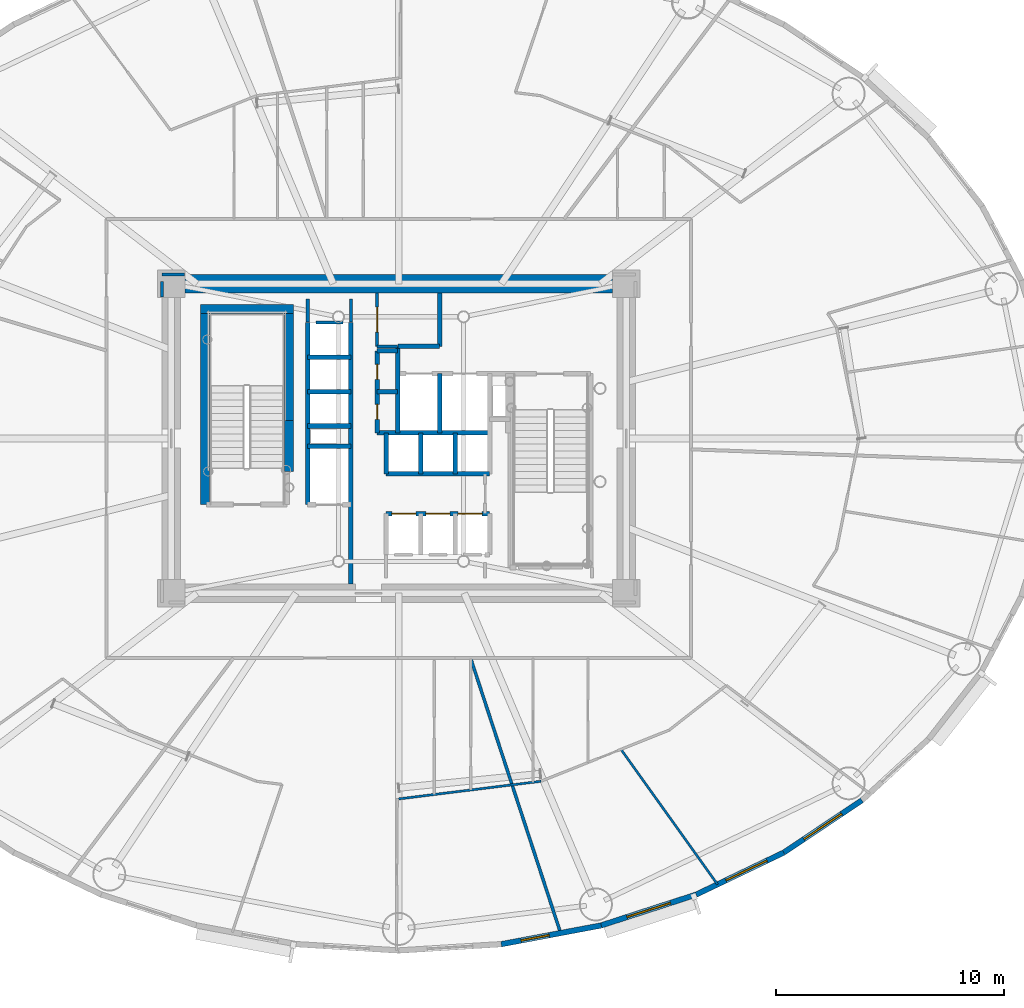
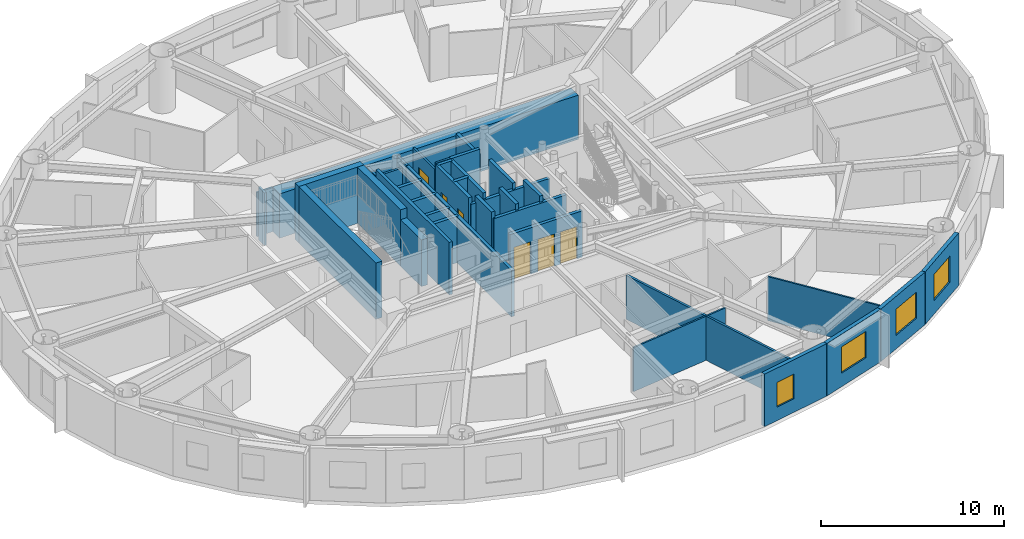
# One storey, part 10 of 19: 38 walls, 6 doors, 4 windows, 10 openings.
"""IFC4 building model written with IfcOpenShell, lengths in metres."""

from ifc_helpers import new_model, si_unit, direction, frame, frame_2d, origin, origin_2d, place, context, subcontext, project, spatial, rectangle, extrude, source, transform, mapped, material, layer, layer_set, type_object, element, fill, save


model = new_model("IFC4")

# Units and contexts
model_context = context("Model", 3, precision=1e-05, world=origin(), true_north=direction((0.0, 1.0)))
body_context = subcontext(model_context, "Body", "Model", "MODEL_VIEW")
ifc_project = project(units=[si_unit("LENGTHUNIT", "METRE"), si_unit("AREAUNIT", "SQUARE_METRE"), si_unit("VOLUMEUNIT", "CUBIC_METRE"), si_unit("PLANEANGLEUNIT", "RADIAN"), si_unit("MASSUNIT", "GRAM", prefix="KILO")], contexts=[model_context])

# Site, building, storey
site_placement = place(None, origin())
site = spatial("IfcSite", under=ifc_project, at=site_placement, CompositionType="ELEMENT")
building_placement = place(site_placement, origin())
building = spatial("IfcBuilding", under=site, at=building_placement, Name="Linh Dai School and Residence Tower", CompositionType="ELEMENT")
storey_placement = place(building_placement, frame((0.0, 0.0, 112.199951171875)))
storey = spatial("IfcBuildingStorey", under=building, at=storey_placement, Name="L26", CompositionType="ELEMENT", Elevation=112.199951171875)

# Wall, opening, window
ifc_material_1 = material(Name="Precast Concrete B45 (C35/45)", Category="concrete")
ifc_layer_1 = layer(ifc_material_1, 0.239990234375)
ifc_layer_set_1 = layer_set([ifc_layer_1], Name="Precast Concrete B45 (C35/45)")
wall_type_1 = type_object("IfcWallType", Name="EW-TC-240", PredefinedType="SOLIDWALL", material=ifc_layer_set_1)
wall_1_placement = place(storey_placement, frame((44.899658203125, 5.5986328125, 0.0), z_axis=(0.0, 0.0, 1.0), x_axis=(-0.982789252177, -0.184730305596, 0.0)))
wall_1 = element("IfcWall", 1, at=wall_1_placement, inside=storey, type_object=wall_type_1, Name="L26 Terracotta Exterior Wall 32", PredefinedType="SOLIDWALL", context=body_context, shape_type="SweptSolid", body=[
    extrude(rectangle(XDim=4.470947265625, YDim=0.239990234375, at=frame_2d((2.2353515625, 0.0))), origin(), (0.0, 0.0, 1.0), 3.5),
])
opening_1_placement = place(wall_1_placement, frame((2.332763671875, 0.0, 0.89990234375)))
opening_1 = element("IfcOpeningElement", 2, at=opening_1_placement, cuts=wall_1, Name="Opening W3", PredefinedType="OPENING", context=body_context, shape_type="SweptSolid", body=[
    extrude(rectangle(XDim=1.25, YDim=1.64990234375, at=origin_2d()), frame((0.625, 0.1298828125, 0.824951171875), z_axis=(0.0, -1.0, 0.0), x_axis=(1.0, 0.0, 0.0)), (0.0, 0.0, 1.0), 0.260009765625),
])
ifc_material_2 = material(Name="Double Low-E Insulated Glazing", Category="glass")
window_type_1 = type_object("IfcWindowType", Name="WN-RES-1250x1650", PartitioningType="SINGLE_PANEL", PredefinedType="WINDOW", material=ifc_material_2)
shared_shape_1 = source(origin(), body_context, "Body", "SweptSolid", [
    extrude(rectangle(XDim=1.25, YDim=1.64990234375, at=origin_2d()), frame((0.625, 0.030029296875, 0.824951171875), z_axis=(0.0, -1.0, 0.0), x_axis=(1.0, 0.0, 0.0)), (0.0, 0.0, 1.0), 0.06005859375),
])
window_1_placement = place(opening_1_placement, origin())
window_1 = element("IfcWindow", 3, at=window_1_placement, inside=storey, type_object=window_type_1, Name="L26 Exterior Window 32.1", OverallHeight=1.64990234375, OverallWidth=1.25, PartitioningType="SINGLE_PANEL", PredefinedType="WINDOW", context=body_context, shape_type="MappedRepresentation", body=[
    mapped(shared_shape_1, transform((0.0, 0.0, 0.0), x_axis=(1.0, 0.0, 0.0), y_axis=(0.0, 1.0, 0.0), z_axis=(0.0, 0.0, 1.0), scale=1.0)),
])
fill(opening_1, window_1)

wall_2_placement = place(storey_placement, frame((49.073974609375, 6.95263671875, 0.0), z_axis=(0.0, 0.0, 1.0), x_axis=(-0.951211346073, -0.308540070495, 0.0)))
wall_2 = element("IfcWall", 4, at=wall_2_placement, inside=storey, type_object=wall_type_1, Name="L26 Terracotta Exterior Wall 33", PredefinedType="SOLIDWALL", context=body_context, shape_type="SweptSolid", body=[
    extrude(rectangle(XDim=4.388427734375, YDim=0.239990234375, at=frame_2d((2.1943359375, 0.0))), origin(), (0.0, 0.0, 1.0), 3.5),
])
opening_2_placement = place(wall_2_placement, frame((1.1943359375, 0.0, 0.89990234375)))
opening_2 = element("IfcOpeningElement", 5, at=opening_2_placement, cuts=wall_2, Name="Opening W1", PredefinedType="OPENING", context=body_context, shape_type="SweptSolid", body=[
    extrude(rectangle(XDim=2.0, YDim=1.75, at=origin_2d()), frame((1.0, 0.1298828125, 0.875), z_axis=(0.0, -1.0, 0.0), x_axis=(1.0, 0.0, 0.0)), (0.0, 0.0, 1.0), 0.260009765625),
])
window_type_2 = type_object("IfcWindowType", Name="WN-RES-2000x1750", PartitioningType="DOUBLE_PANEL_VERTICAL", PredefinedType="WINDOW", material=ifc_material_2)
shared_shape_2 = source(origin(), body_context, "Body", "SweptSolid", [
    extrude(rectangle(XDim=2.0, YDim=1.75, at=origin_2d()), frame((1.0, 0.030029296875, 0.875), z_axis=(0.0, -1.0, 0.0), x_axis=(1.0, 0.0, 0.0)), (0.0, 0.0, 1.0), 0.06005859375),
])
window_2_placement = place(opening_2_placement, origin())
window_2 = element("IfcWindow", 6, at=window_2_placement, inside=storey, type_object=window_type_2, Name="L26 Exterior Window 33.1", OverallHeight=1.75, OverallWidth=2.0, PartitioningType="DOUBLE_PANEL_VERTICAL", PredefinedType="WINDOW", context=body_context, shape_type="MappedRepresentation", body=[
    mapped(shared_shape_2, transform((0.0, 0.0, 0.0), x_axis=(1.0, 0.0, 0.0), y_axis=(0.0, 1.0, 0.0), z_axis=(0.0, 0.0, 1.0), scale=1.0)),
])
fill(opening_2, window_2)

wall_3_placement = place(storey_placement, frame((52.92529296875, 8.800537109375, 0.0), z_axis=(0.0, 0.0, 1.0), x_axis=(-0.901589935876, -0.432591709962, 0.0)))
wall_3 = element("IfcWall", 7, at=wall_3_placement, inside=storey, type_object=wall_type_1, Name="L26 Terracotta Exterior Wall 34", PredefinedType="SOLIDWALL", context=body_context, shape_type="SweptSolid", body=[
    extrude(rectangle(XDim=4.271728515625, YDim=0.239990234375, at=frame_2d((2.1357421875, 0.0))), origin(), (0.0, 0.0, 1.0), 3.5),
])
opening_3_placement = place(wall_3_placement, frame((0.8212890625, 0.0, 0.89990234375)))
opening_3 = element("IfcOpeningElement", 8, at=opening_3_placement, cuts=wall_3, Name="Opening W1", PredefinedType="OPENING", context=body_context, shape_type="SweptSolid", body=[
    extrude(rectangle(XDim=2.0, YDim=1.75, at=origin_2d()), frame((1.0, 0.1298828125, 0.875), z_axis=(0.0, -1.0, 0.0), x_axis=(1.0, 0.0, 0.0)), (0.0, 0.0, 1.0), 0.260009765625),
])
window_3_placement = place(opening_3_placement, origin())
window_3 = element("IfcWindow", 9, at=window_3_placement, inside=storey, type_object=window_type_2, Name="L26 Exterior Window 34.1", OverallHeight=1.75, OverallWidth=2.0, PartitioningType="DOUBLE_PANEL_VERTICAL", PredefinedType="WINDOW", context=body_context, shape_type="MappedRepresentation", body=[
    mapped(shared_shape_2, transform((0.0, 0.0, 0.0), x_axis=(1.0, 0.0, 0.0), y_axis=(0.0, 1.0, 0.0), z_axis=(0.0, 0.0, 1.0), scale=1.0)),
])
fill(opening_3, window_3)

wall_4_placement = place(storey_placement, frame((56.3583984375, 11.0966796875, 0.0), z_axis=(0.0, 0.0, 1.0), x_axis=(-0.831221811447, -0.555940914284, 0.0)))
wall_4 = element("IfcWall", 10, at=wall_4_placement, inside=storey, type_object=wall_type_1, Name="L26 Terracotta Exterior Wall 35", PredefinedType="SOLIDWALL", context=body_context, shape_type="SweptSolid", body=[
    extrude(rectangle(XDim=4.130126953125, YDim=0.239990234375, at=frame_2d((2.06494140625, 0.0))), origin(), (0.0, 0.0, 1.0), 3.5),
])
opening_4_placement = place(wall_4_placement, frame((1.065185546875, 0.0, 0.89990234375)))
opening_4 = element("IfcOpeningElement", 11, at=opening_4_placement, cuts=wall_4, Name="Opening W1", PredefinedType="OPENING", context=body_context, shape_type="SweptSolid", body=[
    extrude(rectangle(XDim=2.0, YDim=1.75, at=origin_2d()), frame((1.0, 0.1298828125, 0.875), z_axis=(0.0, -1.0, 0.0), x_axis=(1.0, 0.0, 0.0)), (0.0, 0.0, 1.0), 0.260009765625),
])
window_4_placement = place(opening_4_placement, origin())
window_4 = element("IfcWindow", 12, at=window_4_placement, inside=storey, type_object=window_type_2, Name="L26 Exterior Window 35.1", OverallHeight=1.75, OverallWidth=2.0, PartitioningType="DOUBLE_PANEL_VERTICAL", PredefinedType="WINDOW", context=body_context, shape_type="MappedRepresentation", body=[
    mapped(shared_shape_2, transform((0.0, 0.0, 0.0), x_axis=(1.0, 0.0, 0.0), y_axis=(0.0, 1.0, 0.0), z_axis=(0.0, 0.0, 1.0), scale=1.0)),
])
fill(opening_4, window_4)

# Wall, opening, door
ifc_material_3 = material(Name="Autoclaved Aerated Concrete Blockwork", Category="masonry")
ifc_layer_2 = layer(ifc_material_3, 0.135009765625)
ifc_layer_set_2 = layer_set([ifc_layer_2], Name="Autoclaved Aerated Concrete Blockwork")
wall_type_2 = type_object("IfcWallType", Name="IW-CORR-135-EI90", PredefinedType="PARTITIONING", material=ifc_layer_set_2)
wall_5_placement = place(storey_placement, frame((35.050048828125, 31.050048828125, 0.0), z_axis=(0.0, 0.0, 1.0), x_axis=(0.0, 1.0, 0.0)))
wall_5 = element("IfcWall", 13, at=wall_5_placement, inside=storey, type_object=wall_type_2, Name="L26 Interior Partition Wall 046", PredefinedType="PARTITIONING", context=body_context, shape_type="SweptSolid", body=[
    extrude(rectangle(XDim=2.349853515625, YDim=0.135009765625, at=frame_2d((1.1748046875, 0.0))), origin(), (0.0, 0.0, 1.0), 3.0849609375),
])
opening_5_placement = place(wall_5_placement, frame((0.625, 0.0, 0.0)))
opening_5 = element("IfcOpeningElement", 14, at=opening_5_placement, cuts=wall_5, Name="Opening D07", PredefinedType="OPENING", context=body_context, shape_type="SweptSolid", body=[
    extrude(rectangle(XDim=1.10009765625, YDim=2.14990234375, at=origin_2d()), frame((0.550048828125, 0.07763671875, 1.074951171875), z_axis=(0.0, -1.0, 0.0), x_axis=(1.0, 0.0, 0.0)), (0.0, 0.0, 1.0), 0.155029296875),
])
ifc_material_4 = material(Name="Fire-Rated Louvred Steel Plant Door", Category="steel")
door_type_1 = type_object("IfcDoorType", Name="DR-PLT-1100x2150-FD60S", OperationType="NOTDEFINED", PredefinedType="DOOR", material=ifc_material_4)
shared_shape_3 = source(origin(), body_context, "Body", "SweptSolid", [
    extrude(rectangle(XDim=1.10009765625, YDim=2.14990234375, at=origin_2d()), frame((0.550048828125, 0.02490234375, 1.074951171875), z_axis=(0.0, -1.0, 0.0), x_axis=(1.0, 0.0, 0.0)), (0.0, 0.0, 1.0), 0.050048828125),
])
door_1_placement = place(opening_5_placement, origin())
door_1 = element("IfcDoor", 15, at=door_1_placement, inside=storey, type_object=door_type_1, Name="L26 North BMS Switchroom Door", OperationType="SINGLE_SWING_LEFT", OverallHeight=2.14990234375, OverallWidth=1.10009765625, PredefinedType="DOOR", context=body_context, shape_type="MappedRepresentation", body=[
    mapped(shared_shape_3, transform((0.0, 0.0, 0.0), x_axis=(1.0, 0.0, 0.0), y_axis=(0.0, 1.0, 0.0), z_axis=(0.0, 0.0, 1.0), scale=1.0)),
])
fill(opening_5, door_1)

# Walls
wall_6_placement = place(storey_placement, frame((35.050048828125, 31.050048828125, 0.0), z_axis=(0.0, 0.0, 1.0), x_axis=(1.0, 0.0, 0.0)))
element("IfcWall", 16, at=wall_6_placement, inside=storey, type_object=wall_type_2, Name="L26 Interior Partition Wall 047", PredefinedType="PARTITIONING", context=body_context, shape_type="SweptSolid", body=[
    extrude(rectangle(XDim=0.89990234375, YDim=0.135009765625, at=frame_2d((0.449951171875, 0.0))), origin(), (0.0, 0.0, 1.0), 3.5),
])
wall_7_placement = place(storey_placement, frame((39.1748046875, 17.301025390625, 0.0), z_axis=(0.0, 0.0, 1.0), x_axis=(0.311090320612, -0.95038035145, 0.0)))
element("IfcWall", 17, at=wall_7_placement, inside=storey, type_object=wall_type_2, Name="L26 Interior Partition Wall 068", PredefinedType="PARTITIONING", context=body_context, shape_type="SweptSolid", body=[
    extrude(rectangle(XDim=12.671142578125, YDim=0.135009765625, at=frame_2d((6.33544921875, 0.0))), origin(), (0.0, 0.0, 1.0), 2.93505859375),
])
wall_8_placement = place(storey_placement, frame((32.360107421875, 32.10009765625, 0.0), z_axis=(0.0, 0.0, 1.0), x_axis=(1.0, 0.0, 0.0)))
element("IfcWall", 18, at=wall_8_placement, inside=storey, type_object=wall_type_2, Name="L26 Interior Partition Wall 105", PredefinedType="PARTITIONING", context=body_context, shape_type="SweptSolid", body=[
    extrude(rectangle(XDim=1.179931640625, YDim=0.135009765625, at=frame_2d((0.58984375, 0.0))), origin(), (0.0, 0.0, 1.0), 3.0849609375),
])
wall_9_placement = place(storey_placement, frame((32.0, 33.139892578125, 0.0), z_axis=(0.0, 0.0, 1.0), x_axis=(0.0, -1.0, 0.0)))
element("IfcWall", 19, at=wall_9_placement, inside=storey, type_object=wall_type_2, Name="L26 Interior Partition Wall 107", PredefinedType="PARTITIONING", context=body_context, shape_type="SweptSolid", body=[
    extrude(rectangle(XDim=1.02978515625, YDim=0.135009765625, at=frame_2d((0.514892578125, 0.0))), origin(), (0.0, 0.0, 1.0), 3.03515625),
])
wall_10_placement = place(storey_placement, frame((33.89990234375, 32.110107421875, 0.0), z_axis=(0.0, 0.0, 1.0), x_axis=(0.0, 1.0, 0.0)))
element("IfcWall", 20, at=wall_10_placement, inside=storey, type_object=wall_type_2, Name="L26 Interior Partition Wall 110", PredefinedType="PARTITIONING", context=body_context, shape_type="SweptSolid", body=[
    extrude(rectangle(XDim=1.02978515625, YDim=0.135009765625, at=frame_2d((0.514892578125, 0.0))), origin(), (0.0, 0.0, 1.0), 3.0849609375),
])
wall_11_placement = place(storey_placement, frame((26.590087890625, 34.199951171875, 0.0), z_axis=(0.0, 0.0, 1.0), x_axis=(-1.0, 0.0, 0.0)))
element("IfcWall", 21, at=wall_11_placement, inside=storey, type_object=wall_type_2, Name="L26 Interior Partition Wall 114", PredefinedType="PARTITIONING", context=body_context, shape_type="SweptSolid", body=[
    extrude(rectangle(XDim=0.989990234375, YDim=0.135009765625, at=frame_2d((0.4951171875, 0.0))), origin(), (0.0, 0.0, 1.0), 2.93505859375),
])
wall_12_placement = place(storey_placement, frame((25.60009765625, 33.892578125, 0.0), z_axis=(0.0, 0.0, 1.0), x_axis=(0.0, -1.0, 0.0)))
element("IfcWall", 22, at=wall_12_placement, inside=storey, type_object=wall_type_2, Name="L26 Interior Partition Wall 115", PredefinedType="PARTITIONING", context=body_context, shape_type="SweptSolid", body=[
    extrude(rectangle(XDim=0.6826171875, YDim=0.135009765625, at=frame_2d((0.34130859375, 0.0))), origin(), (0.0, 0.0, 1.0), 3.5),
])
ifc_material_5 = material(Name="Concrete B45 (C35/45)", Category="concrete")
ifc_layer_3 = layer(ifc_material_5, 0.199951171875)
ifc_layer_set_3 = layer_set([ifc_layer_3], Name="Concrete B45 (C35/45)")
wall_type_3 = type_object("IfcWallType", Name="IW-SHAFT-200-EI120", PredefinedType="PARTITIONING", material=ifc_layer_set_3)
wall_13_placement = place(storey_placement, frame((32.0, 24.10009765625, 0.0), z_axis=(0.0, 0.0, 1.0), x_axis=(0.0, 1.0, 0.0)))
element("IfcWall", 23, at=wall_13_placement, inside=storey, type_object=wall_type_3, Name="L26 Interior Partition Wall 033", PredefinedType="PARTITIONING", context=body_context, shape_type="SweptSolid", body=[
    extrude(rectangle(XDim=8.0, YDim=0.199951171875, at=frame_2d((4.0, 0.0))), origin(), (0.0, 0.0, 1.0), 3.5),
])
for number, where, z_axis, x_axis, name in (
    (24, (32.0, 26.64990234375, 0.0), (0.0, 0.0, 1.0), (1.0, 0.0, 0.0), "L26 Interior Partition Wall 035"),
    (25, (32.0, 27.550048828125, 0.0), (0.0, 0.0, 1.0), (1.0, 0.0, 0.0), "L26 Interior Partition Wall 036"),
    (26, (32.0, 29.06005859375, 0.0), (0.0, 0.0, 1.0), (1.0, 0.0, 0.0), "L26 Interior Partition Wall 037"),
    (27, (32.0, 30.580078125, 0.0), (0.0, 0.0, 1.0), (1.0, 0.0, 0.0), "L26 Interior Partition Wall 038"),
):
    element("IfcWall", number, at=place(storey_placement, frame(where, z_axis=z_axis, x_axis=x_axis)), inside=storey, type_object=wall_type_3, Name=name, PredefinedType="PARTITIONING", context=body_context, shape_type="SweptSolid", body=[
        extrude(rectangle(XDim=1.89990234375, YDim=0.199951171875, at=frame_2d((0.949951171875, 0.0))), origin(), (0.0, 0.0, 1.0), 3.0849609375),
    ])
wall_14_placement = place(storey_placement, frame((33.89990234375, 20.60009765625, 0.0), z_axis=(0.0, 0.0, 1.0), x_axis=(0.0, 1.0, 0.0)))
element("IfcWall", 28, at=wall_14_placement, inside=storey, type_object=wall_type_3, Name="L26 Interior Partition Wall 040", PredefinedType="PARTITIONING", context=body_context, shape_type="SweptSolid", body=[
    extrude(rectangle(XDim=11.5, YDim=0.199951171875, at=frame_2d((5.75, 0.0))), origin(), (0.0, 0.0, 1.0), 3.0849609375),
])

# Wall, openings, doors
wall_15_placement = place(storey_placement, frame((35.050048828125, 27.25, 0.0), z_axis=(0.0, 0.0, 1.0), x_axis=(0.0, 1.0, 0.0)))
wall_15 = element("IfcWall", 29, at=wall_15_placement, inside=storey, type_object=wall_type_3, Name="L26 Interior Partition Wall 042", PredefinedType="PARTITIONING", context=body_context, shape_type="SweptSolid", body=[
    extrude(rectangle(XDim=3.60009765625, YDim=0.199951171875, at=frame_2d((1.800048828125, 0.0))), origin(), (0.0, 0.0, 1.0), 3.5),
])
opening_6_placement = place(wall_15_placement, frame((0.590087890625, 0.0, 0.0)))
opening_6 = element("IfcOpeningElement", 30, at=opening_6_placement, cuts=wall_15, Name="Opening AD1", PredefinedType="OPENING", context=body_context, shape_type="SweptSolid", body=[
    extrude(rectangle(XDim=0.659912109375, YDim=2.050048828125, at=origin_2d()), frame((0.330078125, 0.10986328125, 1.02490234375), z_axis=(0.0, -1.0, 0.0), x_axis=(1.0, 0.0, 0.0)), (0.0, 0.0, 1.0), 0.219970703125),
])
opening_7_placement = place(wall_15_placement, frame((2.35009765625, 0.0, 0.0)))
opening_7 = element("IfcOpeningElement", 31, at=opening_7_placement, cuts=wall_15, Name="Opening AD1", PredefinedType="OPENING", context=body_context, shape_type="SweptSolid", body=[
    extrude(rectangle(XDim=0.659912109375, YDim=2.050048828125, at=origin_2d()), frame((0.330078125, 0.10986328125, 1.02490234375), z_axis=(0.0, -1.0, 0.0), x_axis=(1.0, 0.0, 0.0)), (0.0, 0.0, 1.0), 0.219970703125),
])
ifc_material_6 = material(Name="Fire-Rated Steel Riser Access Door", Category="steel")
door_type_2 = type_object("IfcDoorType", Name="DR-ACC-660x2050-FD90S", OperationType="NOTDEFINED", PredefinedType="USERDEFINED", material=ifc_material_6)
shared_shape_4 = source(origin(), body_context, "Body", "SweptSolid", [
    extrude(rectangle(XDim=0.659912109375, YDim=2.050048828125, at=origin_2d()), frame((0.330078125, 0.02490234375, 1.02490234375), z_axis=(0.0, -1.0, 0.0), x_axis=(1.0, 0.0, 0.0)), (0.0, 0.0, 1.0), 0.050048828125),
])
door_2_placement = place(opening_6_placement, origin())
door_2 = element("IfcDoor", 32, at=door_2_placement, inside=storey, type_object=door_type_2, Name="L26 Telecom and Data Riser Access Door", ObjectType="ACCESS DOOR", OperationType="SINGLE_SWING_LEFT", OverallHeight=2.050048828125, OverallWidth=0.659912109375, PredefinedType="USERDEFINED", context=body_context, shape_type="MappedRepresentation", body=[
    mapped(shared_shape_4, transform((0.0, 0.0, 0.0), x_axis=(1.0, 0.0, 0.0), y_axis=(0.0, 1.0, 0.0), z_axis=(0.0, 0.0, 1.0), scale=1.0)),
])
fill(opening_6, door_2)
door_3_placement = place(opening_7_placement, origin())
door_3 = element("IfcDoor", 33, at=door_3_placement, inside=storey, type_object=door_type_2, Name="L26 Mechanical and Plumbing Riser Access Door", ObjectType="ACCESS DOOR", OperationType="SINGLE_SWING_RIGHT", OverallHeight=2.050048828125, OverallWidth=0.659912109375, PredefinedType="USERDEFINED", context=body_context, shape_type="MappedRepresentation", body=[
    mapped(shared_shape_4, transform((0.0, 0.0, 0.0), x_axis=(1.0, 0.0, 0.0), y_axis=(0.0, 1.0, 0.0), z_axis=(0.0, 0.0, 1.0), scale=1.0)),
])
fill(opening_7, door_3)

# Walls
wall_16_placement = place(storey_placement, frame((35.050048828125, 27.25, 0.0), z_axis=(0.0, 0.0, 1.0), x_axis=(1.0, 0.0, 0.0)))
element("IfcWall", 34, at=wall_16_placement, inside=storey, type_object=wall_type_3, Name="L26 Interior Partition Wall 043", PredefinedType="PARTITIONING", context=body_context, shape_type="SweptSolid", body=[
    extrude(rectangle(XDim=4.949951171875, YDim=0.199951171875, at=frame_2d((2.47509765625, 0.0))), origin(), (0.0, 0.0, 1.0), 3.0849609375),
])
for number, where, z_axis, x_axis, name in (
    (35, (35.050048828125, 29.050048828125, 0.0), (0.0, 0.0, 1.0), (1.0, 0.0, 0.0), "L26 Interior Partition Wall 044"),
    (36, (35.050048828125, 30.85009765625, 0.0), (0.0, 0.0, 1.0), (1.0, 0.0, 0.0), "L26 Interior Partition Wall 045"),
):
    element("IfcWall", number, at=place(storey_placement, frame(where, z_axis=z_axis, x_axis=x_axis)), inside=storey, type_object=wall_type_3, Name=name, PredefinedType="PARTITIONING", context=body_context, shape_type="SweptSolid", body=[
        extrude(rectangle(XDim=0.89990234375, YDim=0.199951171875, at=frame_2d((0.449951171875, 0.0))), origin(), (0.0, 0.0, 1.0), 3.5),
    ])

# Wall, openings, doors
wall_17_placement = place(storey_placement, frame((35.449951171875, 23.699951171875, 0.0), z_axis=(0.0, 0.0, 1.0), x_axis=(1.0, 0.0, 0.0)))
wall_17 = element("IfcWall", 37, at=wall_17_placement, inside=storey, type_object=wall_type_3, Name="L26 Interior Partition Wall 049", PredefinedType="PARTITIONING", context=body_context, shape_type="SweptSolid", body=[
    extrude(rectangle(XDim=4.550048828125, YDim=0.199951171875, at=frame_2d((2.27490234375, 0.0))), origin(), (0.0, 0.0, 1.0), 3.0849609375),
])
opening_8_placement = place(wall_17_placement, frame((0.25, 0.0, 0.0)))
opening_8 = element("IfcOpeningElement", 38, at=opening_8_placement, cuts=wall_17, Name="Opening LD-PL1", PredefinedType="OPENING", context=body_context, shape_type="SweptSolid", body=[
    extrude(rectangle(XDim=1.050048828125, YDim=2.14990234375, at=origin_2d()), frame((0.52490234375, 0.10986328125, 1.074951171875), z_axis=(0.0, -1.0, 0.0), x_axis=(1.0, 0.0, 0.0)), (0.0, 0.0, 1.0), 0.219970703125),
])
opening_9_placement = place(wall_17_placement, frame((1.7451171875, 0.0, 0.0)))
opening_9 = element("IfcOpeningElement", 39, at=opening_9_placement, cuts=wall_17, Name="Opening LD-PL2", PredefinedType="OPENING", context=body_context, shape_type="SweptSolid", body=[
    extrude(rectangle(XDim=1.050048828125, YDim=2.14990234375, at=origin_2d()), frame((0.52490234375, 0.10986328125, 1.074951171875), z_axis=(0.0, -1.0, 0.0), x_axis=(1.0, 0.0, 0.0)), (0.0, 0.0, 1.0), 0.219970703125),
])
opening_10_placement = place(wall_17_placement, frame((3.1650390625, 0.0, 0.0)))
opening_10 = element("IfcOpeningElement", 40, at=opening_10_placement, cuts=wall_17, Name="Opening LD-PL3", PredefinedType="OPENING", context=body_context, shape_type="SweptSolid", body=[
    extrude(rectangle(XDim=1.050048828125, YDim=2.14990234375, at=origin_2d()), frame((0.52490234375, 0.10986328125, 1.074951171875), z_axis=(0.0, -1.0, 0.0), x_axis=(1.0, 0.0, 0.0)), (0.0, 0.0, 1.0), 0.219970703125),
])
ifc_material_7 = material(Name="Brushed Stainless Steel Lift Landing Door", Category="steel")
door_type_3 = type_object("IfcDoorType", Name="DR-LD-PASS-1050x2150", OperationType="DOUBLE_DOOR_SLIDING", PredefinedType="USERDEFINED", material=ifc_material_7)
shared_shape_5 = source(origin(), body_context, "Body", "SweptSolid", [
    extrude(rectangle(XDim=1.050048828125, YDim=2.14990234375, at=origin_2d()), frame((0.52490234375, 0.02490234375, 1.074951171875), z_axis=(0.0, -1.0, 0.0), x_axis=(1.0, 0.0, 0.0)), (0.0, 0.0, 1.0), 0.050048828125),
])
door_4_placement = place(opening_8_placement, origin())
door_4 = element("IfcDoor", 41, at=door_4_placement, inside=storey, type_object=door_type_3, Name="L26 Lift PL1 Sliding Landing Door", ObjectType="LANDING DOOR", OperationType="DOUBLE_DOOR_SLIDING", OverallHeight=2.14990234375, OverallWidth=1.050048828125, PredefinedType="USERDEFINED", context=body_context, shape_type="MappedRepresentation", body=[
    mapped(shared_shape_5, transform((0.0, 0.0, 0.0), x_axis=(1.0, 0.0, 0.0), y_axis=(0.0, 1.0, 0.0), z_axis=(0.0, 0.0, 1.0), scale=1.0)),
])
fill(opening_8, door_4)
door_5_placement = place(opening_9_placement, origin())
door_5 = element("IfcDoor", 42, at=door_5_placement, inside=storey, type_object=door_type_3, Name="L26 Lift PL2 Sliding Landing Door", ObjectType="LANDING DOOR", OperationType="DOUBLE_DOOR_SLIDING", OverallHeight=2.14990234375, OverallWidth=1.050048828125, PredefinedType="USERDEFINED", context=body_context, shape_type="MappedRepresentation", body=[
    mapped(shared_shape_5, transform((0.0, 0.0, 0.0), x_axis=(1.0, 0.0, 0.0), y_axis=(0.0, 1.0, 0.0), z_axis=(0.0, 0.0, 1.0), scale=1.0)),
])
fill(opening_9, door_5)
door_6_placement = place(opening_10_placement, origin())
door_6 = element("IfcDoor", 43, at=door_6_placement, inside=storey, type_object=door_type_3, Name="L26 Lift PL3 Sliding Landing Door", ObjectType="LANDING DOOR", OperationType="DOUBLE_DOOR_SLIDING", OverallHeight=2.14990234375, OverallWidth=1.050048828125, PredefinedType="USERDEFINED", context=body_context, shape_type="MappedRepresentation", body=[
    mapped(shared_shape_5, transform((0.0, 0.0, 0.0), x_axis=(1.0, 0.0, 0.0), y_axis=(0.0, 1.0, 0.0), z_axis=(0.0, 0.0, 1.0), scale=1.0)),
])
fill(opening_10, door_6)

# Walls
wall_18_placement = place(storey_placement, frame((35.449951171875, 25.449951171875, 0.0), z_axis=(0.0, 0.0, 1.0), x_axis=(0.0, 1.0, 0.0)))
element("IfcWall", 44, at=wall_18_placement, inside=storey, type_object=wall_type_3, Name="L26 Interior Partition Wall 050", PredefinedType="PARTITIONING", context=body_context, shape_type="SweptSolid", body=[
    extrude(rectangle(XDim=1.800048828125, YDim=0.199951171875, at=frame_2d((0.89990234375, 0.0))), origin(), (0.0, 0.0, 1.0), 3.5),
])
wall_19_placement = place(storey_placement, frame((35.449951171875, 25.449951171875, 0.0), z_axis=(0.0, 0.0, 1.0), x_axis=(1.0, 0.0, 0.0)))
element("IfcWall", 45, at=wall_19_placement, inside=storey, type_object=wall_type_3, Name="L26 Interior Partition Wall 051", PredefinedType="PARTITIONING", context=body_context, shape_type="SweptSolid", body=[
    extrude(rectangle(XDim=4.550048828125, YDim=0.199951171875, at=frame_2d((2.27490234375, 0.0))), origin(), (0.0, 0.0, 1.0), 3.0849609375),
])
wall_20_placement = place(storey_placement, frame((35.949951171875, 27.25, 0.0), z_axis=(0.0, 0.0, 1.0), x_axis=(0.0, 1.0, 0.0)))
element("IfcWall", 46, at=wall_20_placement, inside=storey, type_object=wall_type_3, Name="L26 Interior Partition Wall 053", PredefinedType="PARTITIONING", context=body_context, shape_type="SweptSolid", body=[
    extrude(rectangle(XDim=3.800048828125, YDim=0.199951171875, at=frame_2d((1.89990234375, 0.0))), origin(), (0.0, 0.0, 1.0), 3.5),
])
wall_21_placement = place(storey_placement, frame((35.9599609375, 31.050048828125, 0.0), z_axis=(0.0, 0.0, 1.0), x_axis=(1.0, 0.0, 0.0)))
element("IfcWall", 47, at=wall_21_placement, inside=storey, type_object=wall_type_3, Name="L26 Interior Partition Wall 055", PredefinedType="PARTITIONING", context=body_context, shape_type="SweptSolid", body=[
    extrude(rectangle(XDim=1.840087890625, YDim=0.199951171875, at=frame_2d((0.919921875, 0.0))), origin(), (0.0, 0.0, 1.0), 3.5),
])
wall_22_placement = place(storey_placement, frame((36.9599609375, 25.449951171875, 0.0), z_axis=(0.0, 0.0, 1.0), x_axis=(0.0, 1.0, 0.0)))
element("IfcWall", 48, at=wall_22_placement, inside=storey, type_object=wall_type_3, Name="L26 Interior Partition Wall 060", PredefinedType="PARTITIONING", context=body_context, shape_type="SweptSolid", body=[
    extrude(rectangle(XDim=1.800048828125, YDim=0.199951171875, at=frame_2d((0.89990234375, 0.0))), origin(), (0.0, 0.0, 1.0), 3.5),
])
wall_23_placement = place(storey_placement, frame((37.800048828125, 27.25, 0.0), z_axis=(0.0, 0.0, 1.0), x_axis=(0.0, 1.0, 0.0)))
element("IfcWall", 49, at=wall_23_placement, inside=storey, type_object=wall_type_3, Name="L26 Interior Partition Wall 062", PredefinedType="PARTITIONING", context=body_context, shape_type="SweptSolid", body=[
    extrude(rectangle(XDim=2.60009765625, YDim=0.199951171875, at=frame_2d((1.300048828125, 0.0))), origin(), (0.0, 0.0, 1.0), 3.5),
])
wall_24_placement = place(storey_placement, frame((37.800048828125, 31.050048828125, 0.0), z_axis=(0.0, 0.0, 1.0), x_axis=(0.0, 1.0, 0.0)))
element("IfcWall", 50, at=wall_24_placement, inside=storey, type_object=wall_type_3, Name="L26 Interior Partition Wall 063", PredefinedType="PARTITIONING", context=body_context, shape_type="SweptSolid", body=[
    extrude(rectangle(XDim=2.349853515625, YDim=0.199951171875, at=frame_2d((1.1748046875, 0.0))), origin(), (0.0, 0.0, 1.0), 3.0849609375),
])
wall_25_placement = place(storey_placement, frame((38.47998046875, 25.449951171875, 0.0), z_axis=(0.0, 0.0, 1.0), x_axis=(0.0, 1.0, 0.0)))
element("IfcWall", 51, at=wall_25_placement, inside=storey, type_object=wall_type_3, Name="L26 Interior Partition Wall 066", PredefinedType="PARTITIONING", context=body_context, shape_type="SweptSolid", body=[
    extrude(rectangle(XDim=1.800048828125, YDim=0.199951171875, at=frame_2d((0.89990234375, 0.0))), origin(), (0.0, 0.0, 1.0), 3.5),
])
ifc_material_8 = material(Name="Gypsum Plasterboard Acoustic Stud Partition", Category="masonry")
ifc_layer_4 = layer(ifc_material_8, 0.10009765625)
ifc_layer_set_4 = layer_set([ifc_layer_4], Name="Gypsum Plasterboard Acoustic Stud Partition")
wall_type_4 = type_object("IfcWallType", Name="IW-UNIT-100", PredefinedType="PARTITIONING", material=ifc_layer_set_4)
wall_26_placement = place(storey_placement, frame((36.0, 11.158935546875, 0.0), z_axis=(0.0, 0.0, 1.0), x_axis=(0.992395485088, 0.123090215599, 0.0)))
element("IfcWall", 52, at=wall_26_placement, inside=storey, type_object=wall_type_4, Name="L26 Interior Partition Wall 056", PredefinedType="PARTITIONING", context=body_context, shape_type="SweptSolid", body=[
    extrude(rectangle(XDim=6.29931640625, YDim=0.10009765625, at=frame_2d((3.149658203125, 0.0))), origin(), (0.0, 0.0, 1.0), 2.93505859375),
])
wall_27_placement = place(storey_placement, frame((45.76806640625, 13.33740234375, 0.0), z_axis=(0.0, 0.0, 1.0), x_axis=(0.581582931767, -0.813487119429, 0.0)))
element("IfcWall", 53, at=wall_27_placement, inside=storey, type_object=wall_type_4, Name="L26 Interior Partition Wall 085", PredefinedType="PARTITIONING", context=body_context, shape_type="SweptSolid", body=[
    extrude(rectangle(XDim=7.301025390625, YDim=0.10009765625, at=frame_2d((3.650390625, 0.0))), origin(), (0.0, 0.0, 1.0), 2.93505859375),
])
ifc_layer_5 = layer(ifc_material_5, 0.39990234375)
ifc_layer_set_5 = layer_set([ifc_layer_5], Name="Concrete B45 (C35/45)")
wall_type_5 = type_object("IfcWallType", Name="WL-CORE400", PredefinedType="SHEAR", material=ifc_layer_set_5)
wall_28_placement = place(storey_placement, frame((27.47998046875, 24.10009765625, 0.0), z_axis=(0.0, 0.0, 1.0), x_axis=(0.0, 1.0, 0.0)))
element("IfcWall", 54, at=wall_28_placement, inside=storey, type_object=wall_type_5, Name="L26 Core Stair ST1 Bearing Wall W", PredefinedType="SHEAR", context=body_context, shape_type="SweptSolid", body=[
    extrude(rectangle(XDim=8.599853515625, YDim=0.39990234375, at=frame_2d((4.2998046875, 0.0))), origin(), (0.0, 0.0, 1.0), 3.75),
])
wall_29_placement = place(storey_placement, frame((31.179931640625, 27.800048828125, 0.0), z_axis=(0.0, 0.0, 1.0), x_axis=(0.0, 1.0, 0.0)))
element("IfcWall", 55, at=wall_29_placement, inside=storey, type_object=wall_type_5, Name="L26 Core Stair ST1 Bearing Wall E", PredefinedType="SHEAR", context=body_context, shape_type="SweptSolid", body=[
    extrude(rectangle(XDim=4.89990234375, YDim=0.39990234375, at=frame_2d((2.449951171875, 0.0))), origin(), (0.0, 0.0, 1.0), 3.75),
])
wall_30_placement = place(storey_placement, frame((27.280029296875, 32.699951171875, 0.0), z_axis=(0.0, 0.0, 1.0), x_axis=(1.0, 0.0, 0.0)))
element("IfcWall", 56, at=wall_30_placement, inside=storey, type_object=wall_type_5, Name="L26 Core Stair ST1 Bearing Wall N", PredefinedType="SHEAR", context=body_context, shape_type="SweptSolid", body=[
    extrude(rectangle(XDim=4.099853515625, YDim=0.39990234375, at=frame_2d((2.0498046875, 0.0))), origin(), (0.0, 0.0, 1.0), 3.75),
])
wall_31_placement = place(storey_placement, frame((31.179931640625, 25.550048828125, 0.0), z_axis=(0.0, 0.0, 1.0), x_axis=(0.0, 1.0, 0.0)))
element("IfcWall", 57, at=wall_31_placement, inside=storey, type_object=wall_type_5, Name="L26 Internal Core Shear Wall IW", PredefinedType="SHEAR", context=body_context, shape_type="SweptSolid", body=[
    extrude(rectangle(XDim=2.25, YDim=0.39990234375, at=frame_2d((1.125, 0.0))), origin(), (0.0, 0.0, 1.0), 3.10009765625),
])
ifc_material_9 = material(Name="Concrete B60 (C50/60)", Category="concrete")
ifc_layer_6 = layer(ifc_material_9, 0.800048828125)
ifc_layer_set_6 = layer_set([ifc_layer_6], Name="Concrete B60 (C50/60)")
wall_type_6 = type_object("IfcWallType", Name="WL-CORE800", PredefinedType="SHEAR", material=ifc_layer_set_6)
wall_32_placement = place(storey_placement, frame((26.60009765625, 33.800048828125, 0.0), z_axis=(0.0, 0.0, 1.0), x_axis=(1.0, 0.0, 0.0)))
element("IfcWall", 58, at=wall_32_placement, inside=storey, type_object=wall_type_6, Name="L26 Central Core Shear Wall N", PredefinedType="SHEAR", context=body_context, shape_type="SweptSolid", body=[
    extrude(rectangle(XDim=18.7998046875, YDim=0.800048828125, at=frame_2d((9.39990234375, 0.0))), origin(), (0.0, 0.0, 1.0), 2.949951171875),
])

save(model, "model.ifc")
